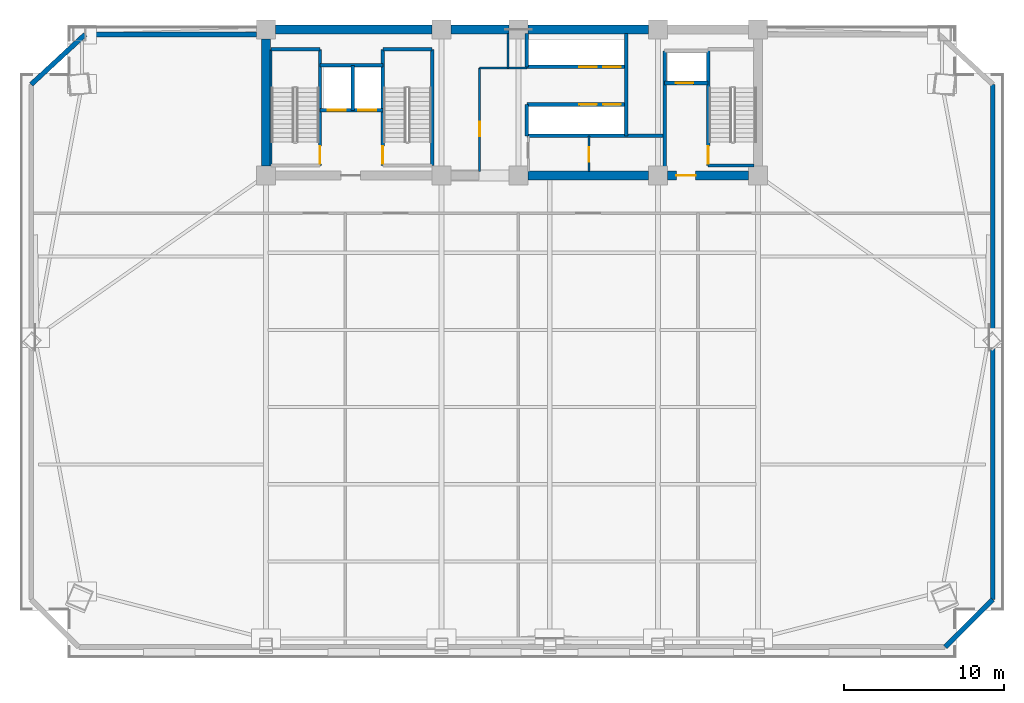
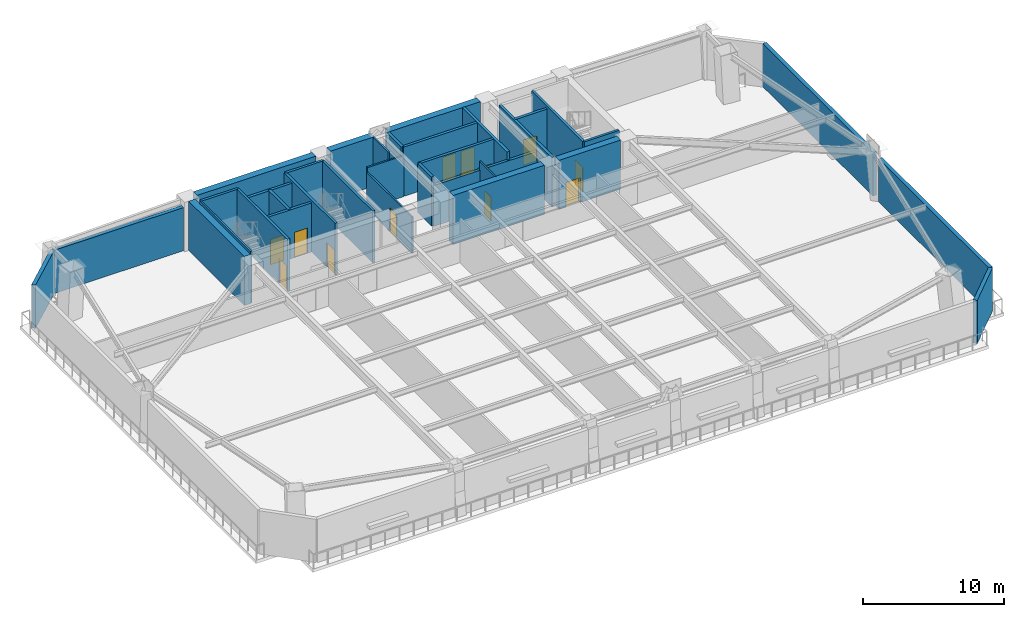
# One storey, part 3 of 9: 34 walls, 13 doors, 13 openings.
"""IFC4 building model written with IfcOpenShell, lengths in metres."""

from ifc_helpers import new_model, si_unit, direction, frame, frame_2d, origin, place, context, subcontext, project, spatial, rectangle, extrude, source, transform, mapped, material, layer, layer_set, type_object, element, fill, save


model = new_model("IFC4")

# Units and contexts
model_context = context("Model", 3, precision=1e-05, world=origin(), true_north=direction((0.0, 1.0)))
body_context = subcontext(model_context, "Body", "Model", "MODEL_VIEW")
ifc_project = project(units=[si_unit("LENGTHUNIT", "METRE"), si_unit("AREAUNIT", "SQUARE_METRE"), si_unit("VOLUMEUNIT", "CUBIC_METRE"), si_unit("PLANEANGLEUNIT", "RADIAN"), si_unit("MASSUNIT", "GRAM", prefix="KILO")], contexts=[model_context])

# Site, building, storey
site_placement = place(None, origin())
site = spatial("IfcSite", under=ifc_project, at=site_placement, CompositionType="ELEMENT")
building_placement = place(site_placement, origin())
building = spatial("IfcBuilding", under=site, at=building_placement, Name="Giltprow Tower", CompositionType="ELEMENT")
storey_placement = place(building_placement, frame((0.0, 0.0, 144.699951171875)))
storey = spatial("IfcBuildingStorey", under=building, at=storey_placement, Name="L35", CompositionType="ELEMENT", Elevation=144.699951171875)

# Walls
ifc_material_1 = material(Name="Precast concrete C40", Category="concrete")
ifc_layer_1 = layer(ifc_material_1, 0.300048828125, Name="Precast concrete C40")
ifc_layer_set_1 = layer_set([ifc_layer_1], Name="Precast concrete C40")
wall_type_1 = type_object("IfcWallType", Name="EW-NOTCH-CHAMFER-300", PredefinedType="SOLIDWALL", material=ifc_layer_set_1)
wall_1_placement = place(storey_placement, frame((62.220947265625, 8.044921875, 0.0), z_axis=(0.0, 0.0, 1.0), x_axis=(0.707106781187, 0.707106781187, 0.0)))
element("IfcWall", 1, at=wall_1_placement, inside=storey, type_object=wall_type_1, Name="L35 Corner Notch Wall SE", PredefinedType="SOLIDWALL", context=body_context, shape_type="SweptSolid", body=[
    extrude(rectangle(XDim=4.193359375, YDim=0.300048828125, at=frame_2d((2.0966796875, 0.0))), origin(), (0.0, 0.0, 1.0), 3.75),
])
wall_2_placement = place(storey_placement, frame((8.5791015625, 46.25, 0.0), z_axis=(0.0, 0.0, 1.0), x_axis=(-0.733735117654, -0.67943563133, 0.0)))
element("IfcWall", 2, at=wall_2_placement, inside=storey, type_object=wall_type_1, Name="L35 Corner Notch Wall NW", PredefinedType="SOLIDWALL", context=body_context, shape_type="SweptSolid", body=[
    extrude(rectangle(XDim=4.586181640625, YDim=0.300048828125, at=frame_2d((2.29296875, 0.0))), origin(), (0.0, 0.0, 1.0), 3.75),
])
ifc_layer_2 = layer(ifc_material_1, 0.300048828125, Name="Precast concrete C40")
ifc_layer_set_2 = layer_set([ifc_layer_2], Name="Precast concrete C40")
wall_type_2 = type_object("IfcWallType", Name="EW-REF-LOUVRE-300", PredefinedType="SOLIDWALL", material=ifc_layer_set_2)
for number, where, z_axis, x_axis, name in (
    (3, (65.18603515625, 11.010009765625, 0.0), (0.0, 0.0, 1.0), (0.0, 1.0, 0.0), "L35 E Wing Masonry Wall 1"),
    (4, (65.18603515625, 27.471923828125, 0.0), (0.0, 0.0, 1.0), (0.0, 1.0, 0.0), "L35 E Wing Masonry Wall 2"),
):
    element("IfcWall", number, at=place(storey_placement, frame(where, z_axis=z_axis, x_axis=x_axis)), inside=storey, type_object=wall_type_2, Name=name, PredefinedType="SOLIDWALL", context=body_context, shape_type="SweptSolid", body=[
        extrude(rectangle(XDim=15.662109375, YDim=0.300048828125, at=frame_2d((7.8310546875, 0.0))), origin(), (0.0, 0.0, 1.0), 3.75),
    ])
wall_3_placement = place(storey_placement, frame((8.5791015625, 46.25, 0.0), z_axis=(0.0, 0.0, 1.0), x_axis=(1.0, 0.0, 0.0)))
element("IfcWall", 5, at=wall_3_placement, inside=storey, type_object=wall_type_2, Name="L35 North-West Wing Wall", PredefinedType="SOLIDWALL", context=body_context, shape_type="SweptSolid", body=[
    extrude(rectangle(XDim=10.6708984375, YDim=0.300048828125, at=frame_2d((5.33544921875, 0.0))), origin(), (0.0, 0.0, 1.0), 3.75),
])

# Wall, openings, doors
ifc_material_2 = material(Name="Concrete C40", Category="concrete")
ifc_layer_3 = layer(ifc_material_2, 0.219970703125, Name="Concrete C40")
ifc_layer_set_3 = layer_set([ifc_layer_3], Name="Concrete C40")
wall_type_3 = type_object("IfcWallType", Name="IW-SHAFT-220", PredefinedType="SOLIDWALL", material=ifc_layer_set_3)
wall_4_placement = place(storey_placement, frame((23.219970703125, 41.52001953125, 0.0), z_axis=(0.0, 0.0, 1.0), x_axis=(1.0, 0.0, 0.0)))
wall_4 = element("IfcWall", 6, at=wall_4_placement, inside=storey, type_object=wall_type_3, Name="L35 FFL1 and Service Lift Front Wall", PredefinedType="SOLIDWALL", context=body_context, shape_type="SweptSolid", body=[
    extrude(rectangle(XDim=3.919921875, YDim=0.219970703125, at=frame_2d((1.9599609375, 0.0))), origin(), (0.0, 0.0, 1.0), 4.27001953125),
])
opening_1_placement = place(wall_4_placement, frame((0.5, 0.0, 0.0)))
opening_1 = element("IfcOpeningElement", 7, at=opening_1_placement, cuts=wall_4, Name="Opening LD-11", PredefinedType="OPENING", context=body_context, shape_type="SweptSolid", body=[
    extrude(rectangle(XDim=1.10009765625, YDim=2.199951171875, at=frame_2d((0.550048828125, 1.10009765625))), frame((0.0, 0.119873046875, 0.0), z_axis=(0.0, -1.0, 0.0), x_axis=(1.0, 0.0, 0.0)), (0.0, 0.0, 1.0), 0.239990234375),
])
opening_2_placement = place(wall_4_placement, frame((2.39990234375, 0.0, 0.0)))
opening_2 = element("IfcOpeningElement", 8, at=opening_2_placement, cuts=wall_4, Name="Opening LD-11", PredefinedType="OPENING", context=body_context, shape_type="SweptSolid", body=[
    extrude(rectangle(XDim=1.10009765625, YDim=2.199951171875, at=frame_2d((0.550048828125, 1.10009765625))), frame((0.0, 0.119873046875, 0.0), z_axis=(0.0, -1.0, 0.0), x_axis=(1.0, 0.0, 0.0)), (0.0, 0.0, 1.0), 0.239990234375),
])
ifc_material_3 = material(Name="Stainless steel", Category="steel")
door_type_1 = type_object("IfcDoorType", Name="DR-LIFT-LD1100", OperationType="SLIDING_TO_LEFT", PredefinedType="DOOR", material=ifc_material_3)
shared_shape_1 = source(origin(), body_context, "Body", "SweptSolid", [
    extrude(rectangle(XDim=1.10009765625, YDim=2.199951171875, at=frame_2d((0.550048828125, 1.10009765625))), frame((0.0, 0.02490234375, 0.0), z_axis=(0.0, -1.0, 0.0), x_axis=(1.0, 0.0, 0.0)), (0.0, 0.0, 1.0), 0.050048828125),
])
door_1_placement = place(opening_1_placement, origin())
door_1 = element("IfcDoor", 9, at=door_1_placement, inside=storey, type_object=door_type_1, Name="L35 FFL1 Landing Door", OperationType="SLIDING_TO_LEFT", OverallHeight=2.199951171875, OverallWidth=1.10009765625, PredefinedType="DOOR", context=body_context, shape_type="MappedRepresentation", body=[
    mapped(shared_shape_1, transform((0.0, 0.0, 0.0), x_axis=(1.0, 0.0, 0.0), y_axis=(0.0, 1.0, 0.0), z_axis=(0.0, 0.0, 1.0), scale=1.0)),
])
fill(opening_1, door_1)
door_2_placement = place(opening_2_placement, origin())
door_2 = element("IfcDoor", 10, at=door_2_placement, inside=storey, type_object=door_type_1, Name="L35 SVL1 Landing Door", OperationType="SLIDING_TO_LEFT", OverallHeight=2.199951171875, OverallWidth=1.10009765625, PredefinedType="DOOR", context=body_context, shape_type="MappedRepresentation", body=[
    mapped(shared_shape_1, transform((0.0, 0.0, 0.0), x_axis=(1.0, 0.0, 0.0), y_axis=(0.0, 1.0, 0.0), z_axis=(0.0, 0.0, 1.0), scale=1.0)),
])
fill(opening_2, door_2)

# Walls
wall_5_placement = place(storey_placement, frame((25.260009765625, 41.52001953125, 0.0), z_axis=(0.0, 0.0, 1.0), x_axis=(0.0, 1.0, 0.0)))
element("IfcWall", 11, at=wall_5_placement, inside=storey, type_object=wall_type_3, Name="L35 FFL1-SVL1 Shaft Divider", PredefinedType="SOLIDWALL", context=body_context, shape_type="SweptSolid", body=[
    extrude(rectangle(XDim=2.800048828125, YDim=0.219970703125, at=frame_2d((1.39990234375, 0.0))), origin(), (0.0, 0.0, 1.0), 4.27001953125),
])
wall_6_placement = place(storey_placement, frame((23.219970703125, 44.320068359375, 0.0), z_axis=(0.0, 0.0, 1.0), x_axis=(1.0, 0.0, 0.0)))
element("IfcWall", 12, at=wall_6_placement, inside=storey, type_object=wall_type_3, Name="L35 FFL1-SVL1 Back Shaft Wall", PredefinedType="SOLIDWALL", context=body_context, shape_type="SweptSolid", body=[
    extrude(rectangle(XDim=3.919921875, YDim=0.219970703125, at=frame_2d((1.9599609375, 0.0))), origin(), (0.0, 0.0, 1.0), 4.27001953125),
])

# Wall, opening, door
wall_7_placement = place(storey_placement, frame((44.719970703125, 43.219970703125, 0.0), z_axis=(0.0, 0.0, 1.0), x_axis=(1.0, 0.0, 0.0)))
wall_7 = element("IfcWall", 13, at=wall_7_placement, inside=storey, type_object=wall_type_3, Name="L35 FFL2 Front Shaft Wall", PredefinedType="SOLIDWALL", context=body_context, shape_type="SweptSolid", body=[
    extrude(rectangle(XDim=2.719970703125, YDim=0.219970703125, at=frame_2d((1.35986328125, 0.0))), origin(), (0.0, 0.0, 1.0), 4.27001953125),
])
opening_3_placement = place(wall_7_placement, frame((0.699951171875, 0.0, 0.0)))
opening_3 = element("IfcOpeningElement", 14, at=opening_3_placement, cuts=wall_7, Name="Opening LD-11", PredefinedType="OPENING", context=body_context, shape_type="SweptSolid", body=[
    extrude(rectangle(XDim=1.10009765625, YDim=2.199951171875, at=frame_2d((0.550048828125, 1.10009765625))), frame((0.0, 0.119873046875, 0.0), z_axis=(0.0, -1.0, 0.0), x_axis=(1.0, 0.0, 0.0)), (0.0, 0.0, 1.0), 0.239990234375),
])
door_3_placement = place(opening_3_placement, origin())
door_3 = element("IfcDoor", 15, at=door_3_placement, inside=storey, type_object=door_type_1, Name="L35 FFL2 Landing Door", OperationType="SLIDING_TO_LEFT", OverallHeight=2.199951171875, OverallWidth=1.10009765625, PredefinedType="DOOR", context=body_context, shape_type="MappedRepresentation", body=[
    mapped(shared_shape_1, transform((0.0, 0.0, 0.0), x_axis=(1.0, 0.0, 0.0), y_axis=(0.0, 1.0, 0.0), z_axis=(0.0, 0.0, 1.0), scale=1.0)),
])
fill(opening_3, door_3)

# Wall
wall_8_placement = place(storey_placement, frame((44.719970703125, 37.705078125, 0.0), z_axis=(0.0, 0.0, 1.0), x_axis=(0.0, 1.0, 0.0)))
element("IfcWall", 16, at=wall_8_placement, inside=storey, type_object=wall_type_3, Name="L35 East Firefighting Lobby West Wall", PredefinedType="SOLIDWALL", context=body_context, shape_type="SweptSolid", body=[
    extrude(rectangle(XDim=7.514892578125, YDim=0.219970703125, at=frame_2d((3.75732421875, 0.0))), origin(), (0.0, 0.0, 1.0), 4.27001953125),
])

# Wall, openings, doors
wall_9_placement = place(storey_placement, frame((36.1201171875, 44.219970703125, 0.0), z_axis=(0.0, 0.0, 1.0), x_axis=(1.0, 0.0, 0.0)))
wall_9 = element("IfcWall", 17, at=wall_9_placement, inside=storey, type_object=wall_type_3, Name="L35 Mid-Rise Lift Shaft Front Wall N", PredefinedType="SOLIDWALL", context=body_context, shape_type="SweptSolid", body=[
    extrude(rectangle(XDim=6.199951171875, YDim=0.219970703125, at=frame_2d((3.10009765625, 0.0))), origin(), (0.0, 0.0, 1.0), 4.27001953125),
])
opening_4_placement = place(wall_9_placement, frame((3.280029296875, 0.0, 0.0)))
opening_4 = element("IfcOpeningElement", 18, at=opening_4_placement, cuts=wall_9, Name="Opening LD-11", PredefinedType="OPENING", context=body_context, shape_type="SweptSolid", body=[
    extrude(rectangle(XDim=1.10009765625, YDim=2.199951171875, at=frame_2d((0.550048828125, 1.10009765625))), frame((0.0, 0.119873046875, 0.0), z_axis=(0.0, -1.0, 0.0), x_axis=(1.0, 0.0, 0.0)), (0.0, 0.0, 1.0), 0.239990234375),
])
opening_5_placement = place(wall_9_placement, frame((4.77001953125, 0.0, 0.0)))
opening_5 = element("IfcOpeningElement", 19, at=opening_5_placement, cuts=wall_9, Name="Opening LD-11", PredefinedType="OPENING", context=body_context, shape_type="SweptSolid", body=[
    extrude(rectangle(XDim=1.10009765625, YDim=2.199951171875, at=frame_2d((0.550048828125, 1.10009765625))), frame((0.0, 0.119873046875, 0.0), z_axis=(0.0, -1.0, 0.0), x_axis=(1.0, 0.0, 0.0)), (0.0, 0.0, 1.0), 0.239990234375),
])
door_4_placement = place(opening_4_placement, origin())
door_4 = element("IfcDoor", 20, at=door_4_placement, inside=storey, type_object=door_type_1, Name="L35 PL-M1 Landing Door", OperationType="SLIDING_TO_LEFT", OverallHeight=2.199951171875, OverallWidth=1.10009765625, PredefinedType="DOOR", context=body_context, shape_type="MappedRepresentation", body=[
    mapped(shared_shape_1, transform((0.0, 0.0, 0.0), x_axis=(1.0, 0.0, 0.0), y_axis=(0.0, 1.0, 0.0), z_axis=(0.0, 0.0, 1.0), scale=1.0)),
])
fill(opening_4, door_4)
door_5_placement = place(opening_5_placement, origin())
door_5 = element("IfcDoor", 21, at=door_5_placement, inside=storey, type_object=door_type_1, Name="L35 PL-M2 Landing Door", OperationType="SLIDING_TO_LEFT", OverallHeight=2.199951171875, OverallWidth=1.10009765625, PredefinedType="DOOR", context=body_context, shape_type="MappedRepresentation", body=[
    mapped(shared_shape_1, transform((0.0, 0.0, 0.0), x_axis=(1.0, 0.0, 0.0), y_axis=(0.0, 1.0, 0.0), z_axis=(0.0, 0.0, 1.0), scale=1.0)),
])
fill(opening_5, door_5)

wall_10_placement = place(storey_placement, frame((36.1201171875, 41.8798828125, 0.0), z_axis=(0.0, 0.0, 1.0), x_axis=(1.0, 0.0, 0.0)))
wall_10 = element("IfcWall", 22, at=wall_10_placement, inside=storey, type_object=wall_type_3, Name="L35 Mid-Rise Lift Shaft Front Wall S", PredefinedType="SOLIDWALL", context=body_context, shape_type="SweptSolid", body=[
    extrude(rectangle(XDim=6.199951171875, YDim=0.219970703125, at=frame_2d((3.10009765625, 0.0))), origin(), (0.0, 0.0, 1.0), 4.27001953125),
])
opening_6_placement = place(wall_10_placement, frame((3.280029296875, 0.0, 0.0)))
opening_6 = element("IfcOpeningElement", 23, at=opening_6_placement, cuts=wall_10, Name="Opening LD-11", PredefinedType="OPENING", context=body_context, shape_type="SweptSolid", body=[
    extrude(rectangle(XDim=1.10009765625, YDim=2.199951171875, at=frame_2d((0.550048828125, 1.10009765625))), frame((0.0, 0.119873046875, 0.0), z_axis=(0.0, -1.0, 0.0), x_axis=(1.0, 0.0, 0.0)), (0.0, 0.0, 1.0), 0.239990234375),
])
opening_7_placement = place(wall_10_placement, frame((4.77001953125, 0.0, 0.0)))
opening_7 = element("IfcOpeningElement", 24, at=opening_7_placement, cuts=wall_10, Name="Opening LD-11", PredefinedType="OPENING", context=body_context, shape_type="SweptSolid", body=[
    extrude(rectangle(XDim=1.10009765625, YDim=2.199951171875, at=frame_2d((0.550048828125, 1.10009765625))), frame((0.0, 0.119873046875, 0.0), z_axis=(0.0, -1.0, 0.0), x_axis=(1.0, 0.0, 0.0)), (0.0, 0.0, 1.0), 0.239990234375),
])
door_6_placement = place(opening_6_placement, origin())
door_6 = element("IfcDoor", 25, at=door_6_placement, inside=storey, type_object=door_type_1, Name="L35 PL-M3 Landing Door", OperationType="SLIDING_TO_LEFT", OverallHeight=2.199951171875, OverallWidth=1.10009765625, PredefinedType="DOOR", context=body_context, shape_type="MappedRepresentation", body=[
    mapped(shared_shape_1, transform((0.0, 0.0, 0.0), x_axis=(1.0, 0.0, 0.0), y_axis=(0.0, 1.0, 0.0), z_axis=(0.0, 0.0, 1.0), scale=1.0)),
])
fill(opening_6, door_6)
door_7_placement = place(opening_7_placement, origin())
door_7 = element("IfcDoor", 26, at=door_7_placement, inside=storey, type_object=door_type_1, Name="L35 PL-M4 Landing Door", OperationType="SLIDING_TO_LEFT", OverallHeight=2.199951171875, OverallWidth=1.10009765625, PredefinedType="DOOR", context=body_context, shape_type="MappedRepresentation", body=[
    mapped(shared_shape_1, transform((0.0, 0.0, 0.0), x_axis=(1.0, 0.0, 0.0), y_axis=(0.0, 1.0, 0.0), z_axis=(0.0, 0.0, 1.0), scale=1.0)),
])
fill(opening_7, door_7)

# Walls
wall_11_placement = place(storey_placement, frame((36.1201171875, 39.919921875, 0.0), z_axis=(0.0, 0.0, 1.0), x_axis=(1.0, 0.0, 0.0)))
element("IfcWall", 27, at=wall_11_placement, inside=storey, type_object=wall_type_3, Name="L35 Mid-Rise South Lift Back Wall", PredefinedType="SOLIDWALL", context=body_context, shape_type="SweptSolid", body=[
    extrude(rectangle(XDim=8.599853515625, YDim=0.219970703125, at=frame_2d((4.2998046875, 0.0))), origin(), (0.0, 0.0, 1.0), 3.554931640625),
])
wall_12_placement = place(storey_placement, frame((42.320068359375, 39.919921875, 0.0), z_axis=(0.0, 0.0, 1.0), x_axis=(0.0, 1.0, 0.0)))
element("IfcWall", 28, at=wall_12_placement, inside=storey, type_object=wall_type_3, Name="L35 Mid-Rise Lift Bank East Closure", PredefinedType="SOLIDWALL", context=body_context, shape_type="SweptSolid", body=[
    extrude(rectangle(XDim=6.375, YDim=0.219970703125, at=frame_2d((3.1875, 0.0))), origin(), (0.0, 0.0, 1.0), 4.27001953125),
])
wall_13_placement = place(storey_placement, frame((36.1201171875, 39.919921875, 0.0), z_axis=(0.0, 0.0, 1.0), x_axis=(0.0, 1.0, 0.0)))
element("IfcWall", 29, at=wall_13_placement, inside=storey, type_object=wall_type_3, Name="L35 Mid-Rise South Lift West Closure", PredefinedType="SOLIDWALL", context=body_context, shape_type="SweptSolid", body=[
    extrude(rectangle(XDim=1.9599609375, YDim=0.219970703125, at=frame_2d((0.97998046875, 0.0))), origin(), (0.0, 0.0, 1.0), 4.27001953125),
])
wall_14_placement = place(storey_placement, frame((36.1201171875, 44.219970703125, 0.0), z_axis=(0.0, 0.0, 1.0), x_axis=(0.0, 1.0, 0.0)))
element("IfcWall", 30, at=wall_14_placement, inside=storey, type_object=wall_type_3, Name="L35 Mid-Rise North Lift West Closure", PredefinedType="SOLIDWALL", context=body_context, shape_type="SweptSolid", body=[
    extrude(rectangle(XDim=2.074951171875, YDim=0.219970703125, at=frame_2d((1.03759765625, 0.0))), origin(), (0.0, 0.0, 1.0), 4.27001953125),
])
ifc_material_4 = material(Name="Concrete C45", Category="concrete")
ifc_layer_4 = layer(ifc_material_4, 0.139892578125, Name="Concrete C45")
ifc_layer_set_4 = layer_set([ifc_layer_4], Name="Concrete C45")
wall_type_4 = type_object("IfcWallType", Name="IW-STAIR-140", PredefinedType="SOLIDWALL", material=ifc_layer_set_4)
wall_15_placement = place(storey_placement, frame((20.169921875, 38.070068359375, 0.0), z_axis=(0.0, 0.0, 1.0), x_axis=(0.0, 1.0, 0.0)))
element("IfcWall", 31, at=wall_15_placement, inside=storey, type_object=wall_type_4, Name="L35 Stair ST-1 West Bearing Wall", PredefinedType="SOLIDWALL", context=body_context, shape_type="SweptSolid", body=[
    extrude(rectangle(XDim=7.25, YDim=0.139892578125, at=frame_2d((3.625, 0.0))), origin(), (0.0, 0.0, 1.0), 4.5),
])

# Wall, opening, door
ifc_layer_5 = layer(ifc_material_2, 0.199951171875, Name="Concrete C40")
ifc_layer_set_5 = layer_set([ifc_layer_5], Name="Concrete C40")
wall_type_5 = type_object("IfcWallType", Name="IW-STAIR-200", PredefinedType="SOLIDWALL", material=ifc_layer_set_5)
wall_16_placement = place(storey_placement, frame((23.219970703125, 38.070068359375, 0.0), z_axis=(0.0, 0.0, 1.0), x_axis=(0.0, 1.0, 0.0)))
wall_16 = element("IfcWall", 32, at=wall_16_placement, inside=storey, type_object=wall_type_5, Name="L35 Stair ST-1 East Bearing Wall", PredefinedType="SOLIDWALL", context=body_context, shape_type="SweptSolid", body=[
    extrude(rectangle(XDim=7.25, YDim=0.199951171875, at=frame_2d((3.625, 0.0))), origin(), (0.0, 0.0, 1.0), 4.5),
])
opening_8_placement = place(wall_16_placement, frame((0.110107421875, 0.0, 0.0)))
opening_8 = element("IfcOpeningElement", 33, at=opening_8_placement, cuts=wall_16, Name="Opening ID33", PredefinedType="OPENING", context=body_context, shape_type="SweptSolid", body=[
    extrude(rectangle(XDim=1.10009765625, YDim=2.14990234375, at=frame_2d((0.550048828125, 1.074951171875))), frame((0.0, 0.10986328125, 0.0), z_axis=(0.0, -1.0, 0.0), x_axis=(1.0, 0.0, 0.0)), (0.0, 0.0, 1.0), 0.219970703125),
])
ifc_material_5 = material(Name="Steel fire leaf", Category="steel")
door_type_2 = type_object("IfcDoorType", Name="DR-STAIR-1100", OperationType="SINGLE_SWING_LEFT", PredefinedType="DOOR", material=ifc_material_5)
shared_shape_2 = source(origin(), body_context, "Body", "SweptSolid", [
    extrude(rectangle(XDim=1.10009765625, YDim=2.14990234375, at=frame_2d((0.550048828125, 1.074951171875))), frame((0.0, 0.02490234375, 0.0), z_axis=(0.0, -1.0, 0.0), x_axis=(1.0, 0.0, 0.0)), (0.0, 0.0, 1.0), 0.050048828125),
])
door_8_placement = place(opening_8_placement, origin())
door_8 = element("IfcDoor", 34, at=door_8_placement, inside=storey, type_object=door_type_2, Name="L35 Stair ST-1 Fire Door", OperationType="SINGLE_SWING_RIGHT", OverallHeight=2.14990234375, OverallWidth=1.10009765625, PredefinedType="DOOR", context=body_context, shape_type="MappedRepresentation", body=[
    mapped(shared_shape_2, transform((0.0, 0.0, 0.0), x_axis=(1.0, 0.0, 0.0), y_axis=(0.0, 1.0, 0.0), z_axis=(0.0, 0.0, 1.0), scale=1.0)),
])
fill(opening_8, door_8)

# Wall
wall_17_placement = place(storey_placement, frame((20.169921875, 45.320068359375, 0.0), z_axis=(0.0, 0.0, 1.0), x_axis=(1.0, 0.0, 0.0)))
element("IfcWall", 35, at=wall_17_placement, inside=storey, type_object=wall_type_5, Name="L35 Stair ST-1 North Bearing Wall", PredefinedType="SOLIDWALL", context=body_context, shape_type="SweptSolid", body=[
    extrude(rectangle(XDim=3.050048828125, YDim=0.199951171875, at=frame_2d((1.52490234375, 0.0))), origin(), (0.0, 0.0, 1.0), 4.5),
])

# Wall, opening, door
wall_18_placement = place(storey_placement, frame((27.139892578125, 38.070068359375, 0.0), z_axis=(0.0, 0.0, 1.0), x_axis=(0.0, 1.0, 0.0)))
wall_18 = element("IfcWall", 36, at=wall_18_placement, inside=storey, type_object=wall_type_5, Name="L35 Stair ST-2 West Bearing Wall", PredefinedType="SOLIDWALL", context=body_context, shape_type="SweptSolid", body=[
    extrude(rectangle(XDim=7.25, YDim=0.199951171875, at=frame_2d((3.625, 0.0))), origin(), (0.0, 0.0, 1.0), 4.5),
])
opening_9_placement = place(wall_18_placement, frame((0.110107421875, 0.0, 0.0)))
opening_9 = element("IfcOpeningElement", 37, at=opening_9_placement, cuts=wall_18, Name="Opening ID33", PredefinedType="OPENING", context=body_context, shape_type="SweptSolid", body=[
    extrude(rectangle(XDim=1.10009765625, YDim=2.14990234375, at=frame_2d((0.550048828125, 1.074951171875))), frame((0.0, 0.10986328125, 0.0), z_axis=(0.0, -1.0, 0.0), x_axis=(1.0, 0.0, 0.0)), (0.0, 0.0, 1.0), 0.219970703125),
])
door_9_placement = place(opening_9_placement, origin())
door_9 = element("IfcDoor", 38, at=door_9_placement, inside=storey, type_object=door_type_2, Name="L35 Stair ST-2 Fire Door", OperationType="SINGLE_SWING_LEFT", OverallHeight=2.14990234375, OverallWidth=1.10009765625, PredefinedType="DOOR", context=body_context, shape_type="MappedRepresentation", body=[
    mapped(shared_shape_2, transform((0.0, 0.0, 0.0), x_axis=(1.0, 0.0, 0.0), y_axis=(0.0, 1.0, 0.0), z_axis=(0.0, 0.0, 1.0), scale=1.0)),
])
fill(opening_9, door_9)

# Walls
wall_19_placement = place(storey_placement, frame((30.219970703125, 38.070068359375, 0.0), z_axis=(0.0, 0.0, 1.0), x_axis=(0.0, 1.0, 0.0)))
element("IfcWall", 39, at=wall_19_placement, inside=storey, type_object=wall_type_5, Name="L35 Stair ST-2 East Bearing Wall", PredefinedType="SOLIDWALL", context=body_context, shape_type="SweptSolid", body=[
    extrude(rectangle(XDim=7.25, YDim=0.199951171875, at=frame_2d((3.625, 0.0))), origin(), (0.0, 0.0, 1.0), 4.5),
])
wall_20_placement = place(storey_placement, frame((27.139892578125, 45.320068359375, 0.0), z_axis=(0.0, 0.0, 1.0), x_axis=(1.0, 0.0, 0.0)))
element("IfcWall", 40, at=wall_20_placement, inside=storey, type_object=wall_type_5, Name="L35 Stair ST-2 North Bearing Wall", PredefinedType="SOLIDWALL", context=body_context, shape_type="SweptSolid", body=[
    extrude(rectangle(XDim=3.080078125, YDim=0.199951171875, at=frame_2d((1.5400390625, 0.0))), origin(), (0.0, 0.0, 1.0), 4.5),
])

# Wall, opening, door
wall_21_placement = place(storey_placement, frame((47.43994140625, 38.070068359375, 0.0), z_axis=(0.0, 0.0, 1.0), x_axis=(0.0, 1.0, 0.0)))
wall_21 = element("IfcWall", 41, at=wall_21_placement, inside=storey, type_object=wall_type_5, Name="L35 Stair ST-3 West Bearing Wall", PredefinedType="SOLIDWALL", context=body_context, shape_type="SweptSolid", body=[
    extrude(rectangle(XDim=7.25, YDim=0.199951171875, at=frame_2d((3.625, 0.0))), origin(), (0.0, 0.0, 1.0), 4.5),
])
opening_10_placement = place(wall_21_placement, frame((0.110107421875, 0.0, 0.0)))
opening_10 = element("IfcOpeningElement", 42, at=opening_10_placement, cuts=wall_21, Name="Opening ID33", PredefinedType="OPENING", context=body_context, shape_type="SweptSolid", body=[
    extrude(rectangle(XDim=1.10009765625, YDim=2.14990234375, at=frame_2d((0.550048828125, 1.074951171875))), frame((0.0, 0.10986328125, 0.0), z_axis=(0.0, -1.0, 0.0), x_axis=(1.0, 0.0, 0.0)), (0.0, 0.0, 1.0), 0.219970703125),
])
door_10_placement = place(opening_10_placement, origin())
door_10 = element("IfcDoor", 43, at=door_10_placement, inside=storey, type_object=door_type_2, Name="L35 Stair ST-3 Fire Door", OperationType="SINGLE_SWING_RIGHT", OverallHeight=2.14990234375, OverallWidth=1.10009765625, PredefinedType="DOOR", context=body_context, shape_type="MappedRepresentation", body=[
    mapped(shared_shape_2, transform((0.0, 0.0, 0.0), x_axis=(1.0, 0.0, 0.0), y_axis=(0.0, 1.0, 0.0), z_axis=(0.0, 0.0, 1.0), scale=1.0)),
])
fill(opening_10, door_10)

# Wall
wall_22_placement = place(storey_placement, frame((47.43994140625, 38.070068359375, 0.0), z_axis=(0.0, 0.0, 1.0), x_axis=(1.0, 0.0, 0.0)))
element("IfcWall", 44, at=wall_22_placement, inside=storey, type_object=wall_type_5, Name="L35 Stair ST-3 South Bearing Wall", PredefinedType="SOLIDWALL", context=body_context, shape_type="SweptSolid", body=[
    extrude(rectangle(XDim=2.85498046875, YDim=0.199951171875, at=frame_2d((1.427490234375, 0.0))), origin(), (0.0, 0.0, 1.0), 4.5),
])

# Wall, opening, door
ifc_material_6 = material(Name="Concrete C30", Category="concrete")
ifc_layer_6 = layer(ifc_material_6, 0.1298828125, Name="Concrete C30")
ifc_layer_set_6 = layer_set([ifc_layer_6], Name="Concrete C30")
wall_type_6 = type_object("IfcWallType", Name="IW-WET-130", PredefinedType="PARTITIONING", material=ifc_layer_set_6)
wall_23_placement = place(storey_placement, frame((33.179931640625, 37.705078125, 0.0), z_axis=(0.0, 0.0, 1.0), x_axis=(0.0, 1.0, 0.0)))
wall_23 = element("IfcWall", 45, at=wall_23_placement, inside=storey, type_object=wall_type_6, Name="L35 Reclaimed Core Room East Wall", PredefinedType="PARTITIONING", context=body_context, shape_type="SweptSolid", body=[
    extrude(rectangle(XDim=6.44482421875, YDim=0.1298828125, at=frame_2d((3.222412109375, 0.0))), origin(), (0.0, 0.0, 1.0), 3.155029296875),
])
opening_11_placement = place(wall_23_placement, frame((2.195068359375, 0.0, 0.0)))
opening_11 = element("IfcOpeningElement", 46, at=opening_11_placement, cuts=wall_23, Name="Opening ID35", PredefinedType="OPENING", context=body_context, shape_type="SweptSolid", body=[
    extrude(rectangle(XDim=0.89990234375, YDim=2.10009765625, at=frame_2d((0.449951171875, 1.050048828125))), frame((0.0, 0.074951171875, 0.0), z_axis=(0.0, -1.0, 0.0), x_axis=(1.0, 0.0, 0.0)), (0.0, 0.0, 1.0), 0.14990234375),
])
door_type_3 = type_object("IfcDoorType", Name="DR-SHAFT-900", OperationType="SINGLE_SWING_LEFT", PredefinedType="DOOR", material=ifc_material_5)
shared_shape_3 = source(origin(), body_context, "Body", "SweptSolid", [
    extrude(rectangle(XDim=0.89990234375, YDim=2.10009765625, at=frame_2d((0.449951171875, 1.050048828125))), frame((0.0, 0.02490234375, 0.0), z_axis=(0.0, -1.0, 0.0), x_axis=(1.0, 0.0, 0.0)), (0.0, 0.0, 1.0), 0.050048828125),
])
door_11_placement = place(opening_11_placement, origin())
door_11 = element("IfcDoor", 47, at=door_11_placement, inside=storey, type_object=door_type_3, Name="L35 Housekeeping and Linen Suite Door", OperationType="SINGLE_SWING_LEFT", OverallHeight=2.10009765625, OverallWidth=0.89990234375, PredefinedType="DOOR", context=body_context, shape_type="MappedRepresentation", body=[
    mapped(shared_shape_3, transform((0.0, 0.0, 0.0), x_axis=(1.0, 0.0, 0.0), y_axis=(0.0, 1.0, 0.0), z_axis=(0.0, 0.0, 1.0), scale=1.0)),
])
fill(opening_11, door_11)

# Walls
wall_24_placement = place(storey_placement, frame((34.949951171875, 44.14990234375, 0.0), z_axis=(0.0, 0.0, 1.0), x_axis=(0.0, 1.0, 0.0)))
element("IfcWall", 48, at=wall_24_placement, inside=storey, type_object=wall_type_6, Name="L35 Reclaimed North Pocket East Wall", PredefinedType="PARTITIONING", context=body_context, shape_type="SweptSolid", body=[
    extrude(rectangle(XDim=2.14501953125, YDim=0.1298828125, at=frame_2d((1.072509765625, 0.0))), origin(), (0.0, 0.0, 1.0), 4.27001953125),
])
wall_25_placement = place(storey_placement, frame((33.179931640625, 44.14990234375, 0.0), z_axis=(0.0, 0.0, 1.0), x_axis=(1.0, 0.0, 0.0)))
element("IfcWall", 49, at=wall_25_placement, inside=storey, type_object=wall_type_6, Name="L35 Reclaimed North Pocket South Wall", PredefinedType="PARTITIONING", context=body_context, shape_type="SweptSolid", body=[
    extrude(rectangle(XDim=2.969970703125, YDim=0.1298828125, at=frame_2d((1.48486328125, 0.0))), origin(), (0.0, 0.0, 1.0), 3.554931640625),
])

# Wall, opening, door
wall_26_placement = place(storey_placement, frame((40.0, 37.705078125, 0.0), z_axis=(0.0, 0.0, 1.0), x_axis=(0.0, 1.0, 0.0)))
wall_26 = element("IfcWall", 50, at=wall_26_placement, inside=storey, type_object=wall_type_6, Name="L35 Core Valet Split", PredefinedType="PARTITIONING", context=body_context, shape_type="SweptSolid", body=[
    extrude(rectangle(XDim=2.21484375, YDim=0.1298828125, at=frame_2d((1.107421875, 0.0))), origin(), (0.0, 0.0, 1.0), 4.27001953125),
])
opening_12_placement = place(wall_26_placement, frame((0.614990234375, 0.0, 0.0)))
opening_12 = element("IfcOpeningElement", 51, at=opening_12_placement, cuts=wall_26, Name="Opening ID35", PredefinedType="OPENING", context=body_context, shape_type="SweptSolid", body=[
    extrude(rectangle(XDim=0.89990234375, YDim=2.10009765625, at=frame_2d((0.449951171875, 1.050048828125))), frame((0.0, 0.074951171875, 0.0), z_axis=(0.0, -1.0, 0.0), x_axis=(1.0, 0.0, 0.0)), (0.0, 0.0, 1.0), 0.14990234375),
])
door_12_placement = place(opening_12_placement, origin())
door_12 = element("IfcDoor", 52, at=door_12_placement, inside=storey, type_object=door_type_3, Name="L35 Core Minibar Pantry Door", OperationType="SINGLE_SWING_LEFT", OverallHeight=2.10009765625, OverallWidth=0.89990234375, PredefinedType="DOOR", context=body_context, shape_type="MappedRepresentation", body=[
    mapped(shared_shape_3, transform((0.0, 0.0, 0.0), x_axis=(1.0, 0.0, 0.0), y_axis=(0.0, 1.0, 0.0), z_axis=(0.0, 0.0, 1.0), scale=1.0)),
])
fill(opening_12, door_12)

# Walls
ifc_material_7 = material(Name="Concrete C60", Category="concrete")
ifc_layer_7 = layer(ifc_material_7, 0.550048828125, Name="Concrete C60")
ifc_layer_set_7 = layer_set([ifc_layer_7], Name="Concrete C60")
wall_type_7 = type_object("IfcWallType", Name="SW-EXT-550-C60", PredefinedType="SHEAR", material=ifc_layer_set_7)
wall_27_placement = place(storey_placement, frame((20.449951171875, 46.550048828125, 0.0), z_axis=(0.0, 0.0, 1.0), x_axis=(1.0, 0.0, 0.0)))
element("IfcWall", 53, at=wall_27_placement, inside=storey, type_object=wall_type_7, Name="L35 North Rear Core Shear Wall 1", PredefinedType="SHEAR", context=body_context, shape_type="SweptSolid", body=[
    extrude(rectangle(XDim=9.75, YDim=0.550048828125, at=frame_2d((4.875, 0.0))), origin(), (0.0, 0.0, 1.0), 4.27001953125),
])
wall_28_placement = place(storey_placement, frame((31.39990234375, 46.550048828125, 0.0), z_axis=(0.0, 0.0, 1.0), x_axis=(1.0, 0.0, 0.0)))
element("IfcWall", 54, at=wall_28_placement, inside=storey, type_object=wall_type_7, Name="L35 North Rear Core Shear Wall 2", PredefinedType="SHEAR", context=body_context, shape_type="SweptSolid", body=[
    extrude(rectangle(XDim=3.60009765625, YDim=0.550048828125, at=frame_2d((1.800048828125, 0.0))), origin(), (0.0, 0.0, 1.0), 4.27001953125),
])
wall_29_placement = place(storey_placement, frame((36.199951171875, 46.550048828125, 0.0), z_axis=(0.0, 0.0, 1.0), x_axis=(1.0, 0.0, 0.0)))
element("IfcWall", 55, at=wall_29_placement, inside=storey, type_object=wall_type_7, Name="L35 North Rear Core Shear Wall 3", PredefinedType="SHEAR", context=body_context, shape_type="SweptSolid", body=[
    extrude(rectangle(XDim=7.5, YDim=0.550048828125, at=frame_2d((3.75, 0.0))), origin(), (0.0, 0.0, 1.0), 4.27001953125),
])
ifc_layer_8 = layer(ifc_material_7, 0.550048828125, Name="Concrete C60")
ifc_layer_set_8 = layer_set([ifc_layer_8], Name="Concrete C60")
wall_type_8 = type_object("IfcWallType", Name="SW-INT-550-C60", PredefinedType="SHEAR", material=ifc_layer_set_8)
wall_30_placement = place(storey_placement, frame((36.199951171875, 37.449951171875, 0.0), z_axis=(0.0, 0.0, 1.0), x_axis=(1.0, 0.0, 0.0)))
element("IfcWall", 56, at=wall_30_placement, inside=storey, type_object=wall_type_8, Name="L35 South Rear Core Shear Wall Mid-East", PredefinedType="SHEAR", context=body_context, shape_type="SweptSolid", body=[
    extrude(rectangle(XDim=7.5, YDim=0.550048828125, at=frame_2d((3.75, 0.0))), origin(), (0.0, 0.0, 1.0), 4.27001953125),
])

# Wall, opening, door
wall_31_placement = place(storey_placement, frame((44.89990234375, 37.449951171875, 0.0), z_axis=(0.0, 0.0, 1.0), x_axis=(1.0, 0.0, 0.0)))
wall_31 = element("IfcWall", 57, at=wall_31_placement, inside=storey, type_object=wall_type_8, Name="L35 South Rear Core Shear Wall East", PredefinedType="SHEAR", context=body_context, shape_type="SweptSolid", body=[
    extrude(rectangle(XDim=5.050048828125, YDim=0.550048828125, at=frame_2d((2.52490234375, 0.0))), origin(), (0.0, 0.0, 1.0), 4.27001953125),
])
opening_13_placement = place(wall_31_placement, frame((0.550048828125, 0.0, 0.0)))
opening_13 = element("IfcOpeningElement", 58, at=opening_13_placement, cuts=wall_31, Name="Opening ID19", PredefinedType="OPENING", context=body_context, shape_type="SweptSolid", body=[
    extrude(rectangle(XDim=1.199951171875, YDim=2.14990234375, at=frame_2d((0.60009765625, 1.074951171875))), frame((0.0, 0.284912109375, 0.0), z_axis=(0.0, -1.0, 0.0), x_axis=(1.0, 0.0, 0.0)), (0.0, 0.0, 1.0), 0.570068359375),
])
door_type_4 = type_object("IfcDoorType", Name="DR-FFLOBBY-1200", OperationType="SINGLE_SWING_RIGHT", PredefinedType="DOOR", material=ifc_material_5)
shared_shape_4 = source(origin(), body_context, "Body", "SweptSolid", [
    extrude(rectangle(XDim=1.199951171875, YDim=2.14990234375, at=frame_2d((0.60009765625, 1.074951171875))), frame((0.0, 0.02490234375, 0.0), z_axis=(0.0, -1.0, 0.0), x_axis=(1.0, 0.0, 0.0)), (0.0, 0.0, 1.0), 0.050048828125),
])
door_13_placement = place(opening_13_placement, origin())
door_13 = element("IfcDoor", 59, at=door_13_placement, inside=storey, type_object=door_type_4, Name="L35 East Firefighting Lobby Entry Door", OperationType="SINGLE_SWING_RIGHT", OverallHeight=2.14990234375, OverallWidth=1.199951171875, PredefinedType="DOOR", context=body_context, shape_type="MappedRepresentation", body=[
    mapped(shared_shape_4, transform((0.0, 0.0, 0.0), x_axis=(1.0, 0.0, 0.0), y_axis=(0.0, 1.0, 0.0), z_axis=(0.0, 0.0, 1.0), scale=1.0)),
])
fill(opening_13, door_13)

# Wall
wall_32_placement = place(storey_placement, frame((19.85009765625, 38.050048828125, 0.0), z_axis=(0.0, 0.0, 1.0), x_axis=(0.0, 1.0, 0.0)))
element("IfcWall", 60, at=wall_32_placement, inside=storey, type_object=wall_type_8, Name="L35 W Rear Core Shear Wall", PredefinedType="SHEAR", context=body_context, shape_type="SweptSolid", body=[
    extrude(rectangle(XDim=7.89990234375, YDim=0.550048828125, at=frame_2d((3.949951171875, 0.0))), origin(), (0.0, 0.0, 1.0), 4.27001953125),
])

save(model, "model.ifc")
